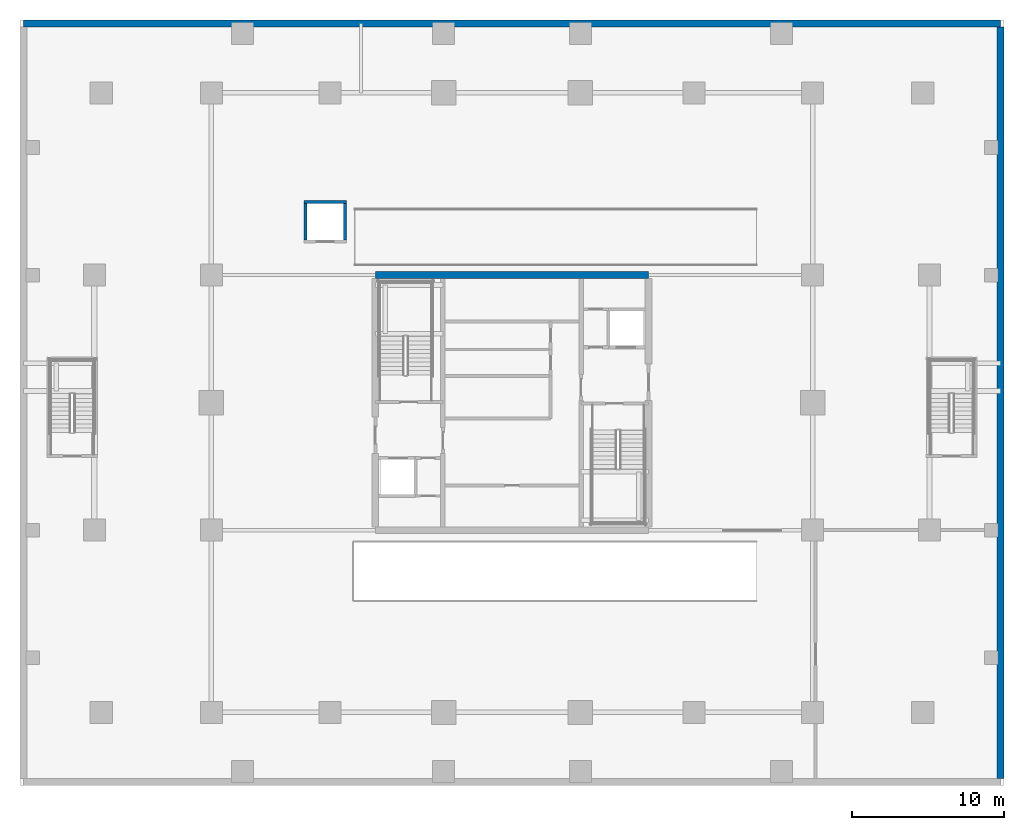
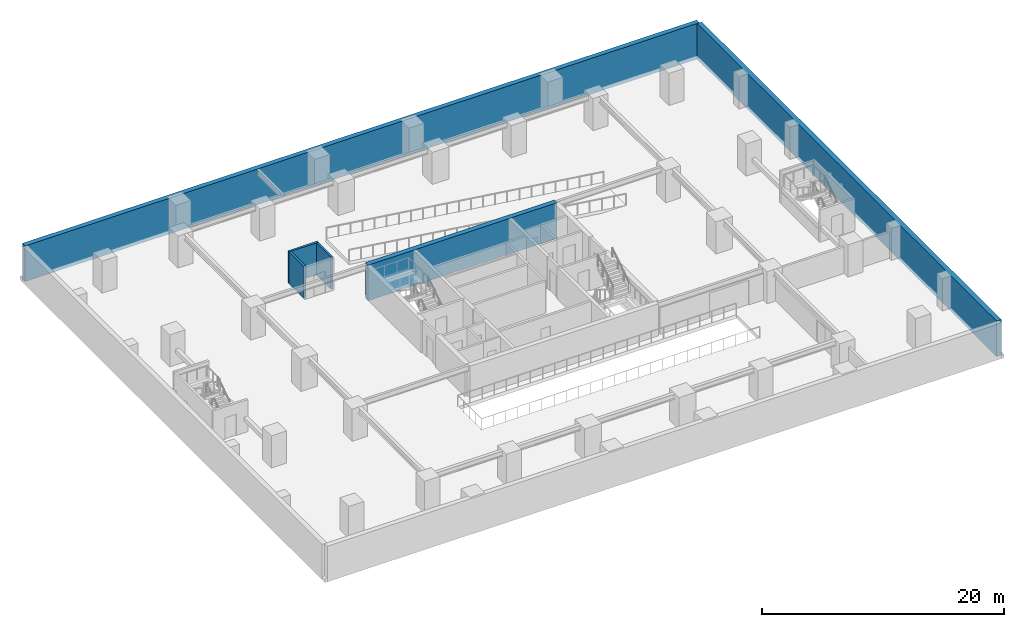
# One storey, part 4 of 10: 6 walls.
"""IFC4 building model written with IfcOpenShell, lengths in metres."""

from ifc_helpers import new_model, si_unit, direction, frame, frame_2d, origin, place, context, subcontext, project, spatial, rectangle, extrude, material, layer, layer_set, type_object, element, save


model = new_model("IFC4")

# Units and contexts
model_context = context("Model", 3, precision=1e-05, world=origin(), true_north=direction((0.0, 1.0)))
body_context = subcontext(model_context, "Body", "Model", "MODEL_VIEW")
ifc_project = project(units=[si_unit("LENGTHUNIT", "METRE"), si_unit("AREAUNIT", "SQUARE_METRE"), si_unit("VOLUMEUNIT", "CUBIC_METRE"), si_unit("PLANEANGLEUNIT", "RADIAN"), si_unit("MASSUNIT", "GRAM", prefix="KILO")], contexts=[model_context])

# Site, building, storey
site_placement = place(None, origin())
site = spatial("IfcSite", under=ifc_project, at=site_placement, CompositionType="ELEMENT")
building_placement = place(site_placement, origin())
building = spatial("IfcBuilding", under=site, at=building_placement, Name="Serunith Strait Residences", CompositionType="ELEMENT")
storey_placement = place(building_placement, frame((0.0, 0.0, -7.199951171875)))
storey = spatial("IfcBuildingStorey", under=building, at=storey_placement, Name="B02", CompositionType="ELEMENT", Elevation=-7.199951171875)

# Walls
ifc_material_1 = material(Name="Autoclaved aerated concrete blockwork", Category="masonry")
ifc_layer_1 = layer(ifc_material_1, 0.199951171875, Name="Autoclaved aerated concrete blockwork")
ifc_layer_set_1 = layer_set([ifc_layer_1], Name="Autoclaved aerated concrete blockwork")
wall_type_1 = type_object("IfcWallType", Name="IW-SHAFT-200", PredefinedType="STANDARD", material=ifc_layer_set_1)
for number, where, z_axis, x_axis, name in (
    (1, (18.800048828125, 35.89990234375, 0.0), (0.0, 0.0, 1.0), (0.0, 1.0, 0.0), "B02 SV-1 West Shaft Wall"),
    (2, (21.39990234375, 35.89990234375, 0.0), (0.0, 0.0, 1.0), (0.0, 1.0, 0.0), "B02 SV-1 East Shaft Wall"),
):
    element("IfcWall", number, at=place(storey_placement, frame(where, z_axis=z_axis, x_axis=x_axis)), inside=storey, type_object=wall_type_1, Name=name, PredefinedType="STANDARD", context=body_context, shape_type="SweptSolid", body=[
        extrude(rectangle(XDim=2.400146484375, YDim=0.199951171875, at=frame_2d((1.2001953125, 0.0))), origin(), (0.0, 0.0, 1.0), 3.239990234375),
    ])
wall_1_placement = place(storey_placement, frame((18.699951171875, 38.39990234375, 0.0), z_axis=(0.0, 0.0, 1.0), x_axis=(1.0, 0.0, 0.0)))
element("IfcWall", 3, at=wall_1_placement, inside=storey, type_object=wall_type_1, Name="B02 SV-1 North Shaft Wall", PredefinedType="STANDARD", context=body_context, shape_type="SweptSolid", body=[
    extrude(rectangle(XDim=2.800048828125, YDim=0.199951171875, at=frame_2d((1.39990234375, 0.0))), origin(), (0.0, 0.0, 1.0), 3.239990234375),
])
ifc_material_2 = material(Name="Concrete C50/60", Category="concrete")
ifc_layer_2 = layer(ifc_material_2, 0.449951171875, Name="Concrete C50/60")
ifc_layer_set_2 = layer_set([ifc_layer_2], Name="Concrete C50/60")
wall_type_2 = type_object("IfcWallType", Name="RW-450-C50", PredefinedType="USERDEFINED", material=ifc_layer_set_2)
wall_2_placement = place(storey_placement, frame((64.574951171875, 50.175048828125, -0.360107421875), z_axis=(0.0, 0.0, 1.0), x_axis=(-1.0, 0.0, 0.0)))
element("IfcWall", 4, at=wall_2_placement, inside=storey, type_object=wall_type_2, Name="B02 North Diaphragm Wall", ObjectType="RETAININGWALL", PredefinedType="USERDEFINED", context=body_context, shape_type="SweptSolid", body=[
    extrude(rectangle(XDim=64.349853515625, YDim=0.449951171875, at=frame_2d((32.1748046875, 0.0))), origin(), (0.0, 0.0, 1.0), 3.59814453125),
])
wall_3_placement = place(storey_placement, frame((64.574951171875, 0.449951171875, -0.360107421875), z_axis=(0.0, 0.0, 1.0), x_axis=(0.0, 1.0, 0.0)))
element("IfcWall", 5, at=wall_3_placement, inside=storey, type_object=wall_type_2, Name="B02 East Diaphragm Wall", ObjectType="RETAININGWALL", PredefinedType="USERDEFINED", context=body_context, shape_type="SweptSolid", body=[
    extrude(rectangle(XDim=49.5, YDim=0.449951171875, at=frame_2d((24.75, 0.0))), origin(), (0.0, 0.0, 1.0), 3.59814453125),
])
ifc_material_3 = material(Name="Concrete C80/95", Category="concrete")
ifc_layer_3 = layer(ifc_material_3, 0.449951171875, Name="Concrete C80/95")
ifc_layer_set_3 = layer_set([ifc_layer_3], Name="Concrete C80/95")
wall_type_3 = type_object("IfcWallType", Name="SW-450-C80", PredefinedType="SHEAR", material=ifc_layer_set_3)
wall_4_placement = place(storey_placement, frame((41.39990234375, 33.60009765625, -0.360107421875), z_axis=(0.0, 0.0, 1.0), x_axis=(-1.0, 0.0, 0.0)))
element("IfcWall", 6, at=wall_4_placement, inside=storey, type_object=wall_type_3, Name="B02 Core North Shear Wall", PredefinedType="SHEAR", context=body_context, shape_type="SweptSolid", body=[
    extrude(rectangle(XDim=18.0, YDim=0.449951171875, at=frame_2d((9.0, 0.0))), origin(), (0.0, 0.0, 1.0), 3.59814453125),
])

save(model, "model.ifc")
